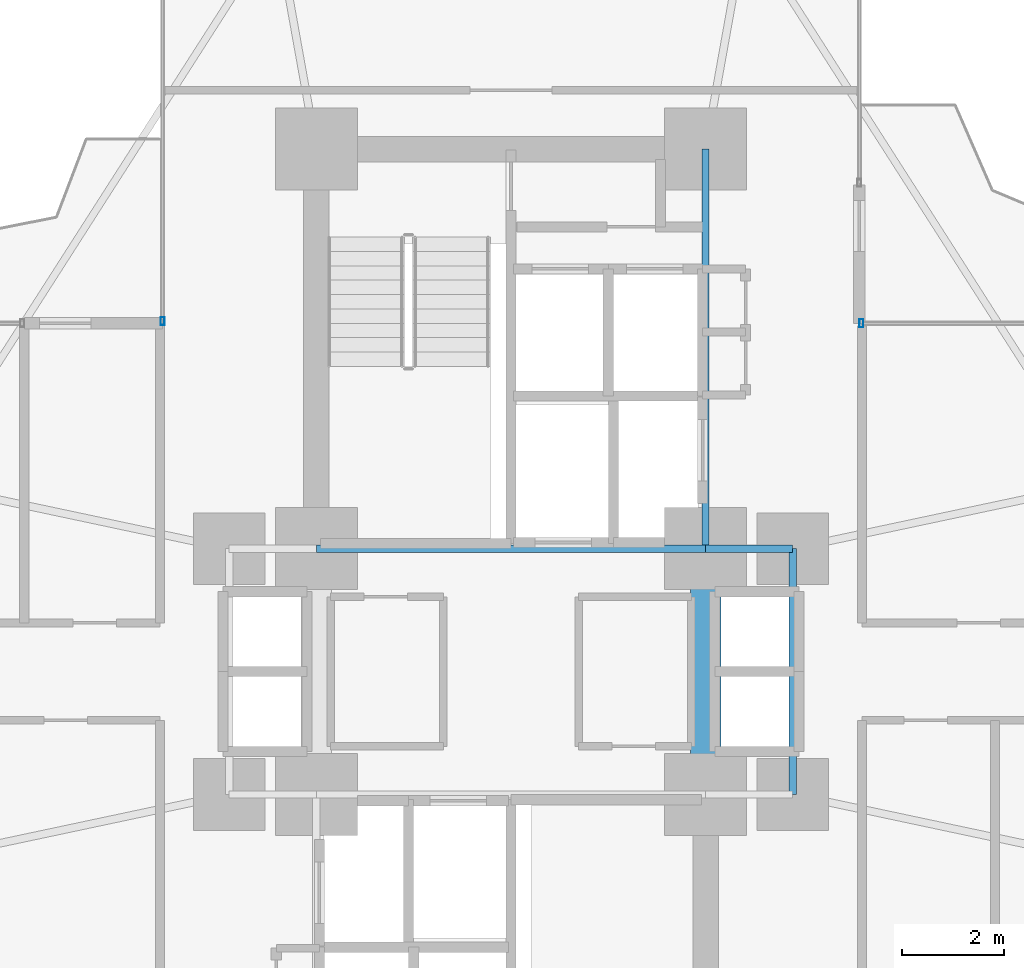
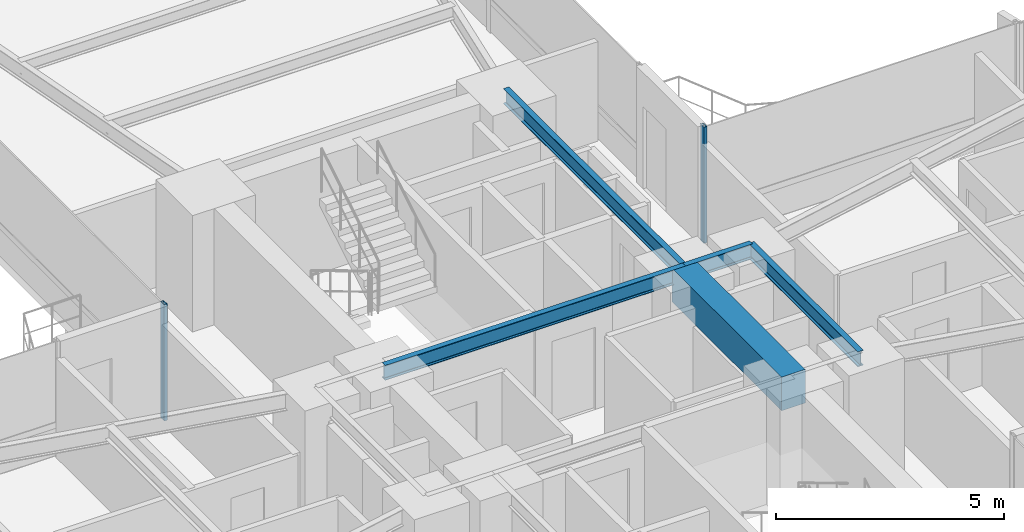
# One storey, part 12 of 25: 5 beams, 2 members, 2 elements without a shape of their own.
"""IFC4 building model written with IfcOpenShell, lengths in metres."""

import ifcopenshell
import ifcopenshell.guid

model = None  # the IFC model being written
_history = None  # IfcOwnerHistory: only IFC2X3 demands one
_inside = {}  # id of a spatial element -> (the spatial element, [elements in it])
_under = {}  # id of a project, library or spatial element -> (it, [spatial elements below it])
_declared = {}  # id of a project -> (the project, [libraries it declares])
_typed = {}  # id of a type object -> (the type object, [elements of that type])
_made_of = {}  # id of a material, layer set ... -> (it, [elements and type objects made of it])


def new_model(schema):
    """Start an empty IFC model of exactly this schema.

    Asked for "IFC4X3", IfcOpenShell would pick the latest addendum, in which some entities
    have other attributes; the version numbers below select the first issue.
    IFC2X3 requires an IfcOwnerHistory on every rooted entity: one is made here for all.
    """
    global model, _history
    if schema == "IFC4X3":
        model = ifcopenshell.file(schema_version=(4, 3, 0, 0))
    else:
        model = ifcopenshell.file(schema=schema)
    _inside.clear()
    _under.clear()
    _declared.clear()
    _typed.clear()
    _made_of.clear()
    _history = None
    if model.schema == "IFC2X3":
        org = make("IfcOrganization", Name="unknown")
        user = make(
            "IfcPersonAndOrganization",
            ThePerson=make("IfcPerson", FamilyName="unknown"),
            TheOrganization=org,
        )
        app = make(
            "IfcApplication",
            ApplicationDeveloper=org,
            Version="unknown",
            ApplicationFullName="unknown",
            ApplicationIdentifier="unknown",
        )
        _history = make(
            "IfcOwnerHistory",
            OwningUser=user,
            OwningApplication=app,
            ChangeAction="ADDED",
            CreationDate=0,
        )
    return model


def make(cls, **values):
    """One entity of the class cls with the attributes given. An attribute that is None is left unset."""
    return model.create_entity(
        cls, **{name: value for name, value in values.items() if value is not None}
    )


def rooted(cls, **values):
    """An entity with a GlobalId (a new one), such as an element, a storey or a relation."""
    return make(cls, GlobalId=ifcopenshell.guid.new(), OwnerHistory=_history, **values)


def si_unit(unit_type, name, prefix=None):
    """IfcSIUnit, for example si_unit("LENGTHUNIT", "METRE", prefix="MILLI")."""
    return make("IfcSIUnit", UnitType=unit_type, Prefix=prefix, Name=name)


def assignment(units):
    """IfcUnitAssignment: the units of a project."""
    return None if units is None else make("IfcUnitAssignment", Units=units)


def point(xyz):
    """IfcCartesianPoint."""
    return None if xyz is None else make("IfcCartesianPoint", Coordinates=xyz)


def direction(xyz):
    """IfcDirection."""
    return None if xyz is None else make("IfcDirection", DirectionRatios=xyz)


def frame(location, z_axis=None, x_axis=None):
    """IfcAxis2Placement3D, a coordinate frame: its origin and axes. An axis left out is left unset."""
    return make(
        "IfcAxis2Placement3D",
        Location=point(location),
        Axis=direction(z_axis),
        RefDirection=direction(x_axis),
    )


def frame_2d(location, x_axis=None):
    """IfcAxis2Placement2D, a coordinate frame in the plane: its origin and x axis."""
    return make(
        "IfcAxis2Placement2D", Location=point(location), RefDirection=direction(x_axis)
    )


def origin():
    """The frame at (0, 0, 0) with its axes left unset."""
    return frame((0.0, 0.0, 0.0))


def origin_2d():
    """The frame at (0, 0) in the plane with its x axis left unset."""
    return frame_2d((0.0, 0.0))


def place(relative_to, where):
    """IfcLocalPlacement: puts the frame where relative to a parent placement (None: the world)."""
    return make(
        "IfcLocalPlacement", PlacementRelTo=relative_to, RelativePlacement=where
    )


def context(
    kind, dimensions, precision=None, world=None, true_north=None, identifier=None
):
    """IfcGeometricRepresentationContext, for example the 3D "Model" context."""
    return make(
        "IfcGeometricRepresentationContext",
        ContextIdentifier=identifier,
        ContextType=kind,
        CoordinateSpaceDimension=dimensions,
        Precision=precision,
        WorldCoordinateSystem=world,
        TrueNorth=true_north,
    )


def subcontext(parent, identifier, kind, view, scale=None):
    """IfcGeometricRepresentationSubContext, for example "Body" below "Model"."""
    return make(
        "IfcGeometricRepresentationSubContext",
        ContextIdentifier=identifier,
        ContextType=kind,
        ParentContext=parent,
        TargetScale=scale,
        TargetView=view,
    )


def project(units=None, contexts=None):
    """IfcProject with its units and contexts."""
    return rooted(
        "IfcProject",
        Name="project",
        RepresentationContexts=contexts,
        UnitsInContext=assignment(units),
    )


def spatial(cls, under=None, at=None, **own):
    """A site, building, storey or space (cls), placed at a placement, below another one or the project."""
    s = rooted(cls, ObjectPlacement=at, **own)
    if under is not None:
        _under.setdefault(under.id(), (under, []))[1].append(s)
    return s


def profile(cls, at=None, kind="AREA", **sizes):
    """A parametric profile (cls). Its sizes go by their IFC names, for example OverallWidth=200.0."""
    return make(cls, ProfileType=kind, Position=at, **sizes)


def rectangle(**sizes):
    """IfcRectangleProfileDef."""
    return profile("IfcRectangleProfileDef", **sizes)


def hollow_rectangle(**sizes):
    """IfcRectangleHollowProfileDef."""
    return profile("IfcRectangleHollowProfileDef", **sizes)


def i_section(**sizes):
    """IfcIShapeProfileDef."""
    return profile("IfcIShapeProfileDef", **sizes)


def extrude(swept, where, along, depth):
    """IfcExtrudedAreaSolid: the profile swept, set in the frame where, extruded along a direction by depth."""
    return make(
        "IfcExtrudedAreaSolid",
        SweptArea=swept,
        Position=where,
        ExtrudedDirection=direction(along),
        Depth=depth,
    )


def shape(context_of_items, identifier, shape_type, items):
    """IfcShapeRepresentation: the items that make up one representation, for example the "Body"."""
    return make(
        "IfcShapeRepresentation",
        ContextOfItems=context_of_items,
        RepresentationIdentifier=identifier,
        RepresentationType=shape_type,
        Items=items,
    )


def source(mapping_origin, context_of_items, identifier, shape_type, items):
    """IfcRepresentationMap: a shape defined once, which mapped items show again and again."""
    return make(
        "IfcRepresentationMap",
        MappingOrigin=mapping_origin,
        MappedRepresentation=shape(context_of_items, identifier, shape_type, items),
    )


def transform(
    local_origin,
    x_axis=None,
    y_axis=None,
    z_axis=None,
    scale=None,
    scale2=None,
    scale3=None,
    uniform=True,
):
    """IfcCartesianTransformationOperator3D, or its non-uniform kind. x_axis, y_axis, z_axis: its Axis1, 2, 3."""
    if uniform:
        return make(
            "IfcCartesianTransformationOperator3D",
            Axis1=direction(x_axis),
            Axis2=direction(y_axis),
            LocalOrigin=point(local_origin),
            Scale=scale,
            Axis3=direction(z_axis),
        )
    return make(
        "IfcCartesianTransformationOperator3DnonUniform",
        Axis1=direction(x_axis),
        Axis2=direction(y_axis),
        LocalOrigin=point(local_origin),
        Scale=scale,
        Axis3=direction(z_axis),
        Scale2=scale2,
        Scale3=scale3,
    )


def mapped(mapping_source, mapping_target):
    """IfcMappedItem: shows the shape of a source again, moved by a transform."""
    return make(
        "IfcMappedItem", MappingSource=mapping_source, MappingTarget=mapping_target
    )


def material(Name=None, Category=None):
    """IfcMaterial."""
    return make("IfcMaterial", Name=Name, Category=Category)


def material_profile(
    of_material, cross_section, Name=None, Category=None, Priority=None
):
    """IfcMaterialProfile: a cross section and its material."""
    return make(
        "IfcMaterialProfile",
        Name=Name,
        Material=of_material,
        Profile=cross_section,
        Priority=Priority,
        Category=Category,
    )


def profile_set(profiles, Name=None, composite=None):
    """IfcMaterialProfileSet."""
    return make(
        "IfcMaterialProfileSet",
        Name=Name,
        MaterialProfiles=profiles,
        CompositeProfile=composite,
    )


def made_of(thing, what):
    """Note that an element or type object is made of a material, layer set ...; save() writes the relation."""
    if what is not None:
        _made_of.setdefault(what.id(), (what, []))[1].append(thing)
    return thing


def type_object(cls, material=None, **own):
    """A type object (cls), such as IfcWallType, which elements share."""
    return made_of(rooted(cls, **own), material)


def element(
    cls,
    number,
    at=None,
    inside=None,
    cuts=None,
    type_object=None,
    material=None,
    context=None,
    identifier="Body",
    shape_type=None,
    held_by="IfcProductDefinitionShape",
    body=None,
    shapes=None,
    **own,
):
    """One element of the class cls, such as IfcWall. Its Tag is "e" and its number.

    at: its placement. inside: the storey or other place that contains it. cuts: it is an
    opening in that element (IfcRelVoidsElement). A single representation is given by context,
    identifier, shape_type and body (its items); several are given by shapes. held_by: the class
    of the entity that holds the representations. save() writes the other relations.
    """
    e = rooted(cls, Tag="e%d" % number, ObjectPlacement=at, **own)
    if body is not None:
        shapes = [shape(context, identifier, shape_type, body)]
    if shapes is not None:
        e.Representation = make(held_by, Representations=shapes)
    if inside is not None:
        _inside.setdefault(inside.id(), (inside, []))[1].append(e)
    if cuts is not None:
        rooted(
            "IfcRelVoidsElement", RelatingBuildingElement=cuts, RelatedOpeningElement=e
        )
    if type_object is not None:
        _typed.setdefault(type_object.id(), (type_object, []))[1].append(e)
    return made_of(e, material)


def aggregate(whole, parts):
    """IfcRelAggregates: a whole, such as a stair, and the parts it consists of."""
    return rooted("IfcRelAggregates", RelatingObject=whole, RelatedObjects=parts)


def save(model, path):
    """Write the relations noted so far, then the file.

    IfcRelAggregates (storeys below a building ...), IfcRelContainedInSpatialStructure (elements
    in a storey), IfcRelDefinesByType, IfcRelAssociatesMaterial and IfcRelDeclares: one each for
    every whole, place, type object, material and project.
    """
    for whole, parts in _under.values():
        aggregate(whole, parts)
    for where, things in _inside.values():
        rooted(
            "IfcRelContainedInSpatialStructure",
            RelatedElements=things,
            RelatingStructure=where,
        )
    for kind, things in _typed.values():
        rooted("IfcRelDefinesByType", RelatedObjects=things, RelatingType=kind)
    for what, things in _made_of.values():
        rooted("IfcRelAssociatesMaterial", RelatedObjects=things, RelatingMaterial=what)
    for by, libraries in _declared.values():
        rooted("IfcRelDeclares", RelatingContext=by, RelatedDefinitions=libraries)
    model.write(path)


model = new_model("IFC4")

# Units and contexts
model_context = context("Model", 3, precision=1e-05, world=origin(), true_north=direction((0.0, 1.0)))
body_context = subcontext(model_context, "Body", "Model", "MODEL_VIEW")
ifc_project = project(units=[si_unit("LENGTHUNIT", "METRE"), si_unit("AREAUNIT", "SQUARE_METRE"), si_unit("VOLUMEUNIT", "CUBIC_METRE"), si_unit("PLANEANGLEUNIT", "RADIAN"), si_unit("MASSUNIT", "GRAM", prefix="KILO")], contexts=[model_context])

# Site, building, storey
site_placement = place(None, origin())
site = spatial("IfcSite", under=ifc_project, at=site_placement, CompositionType="ELEMENT")
building_placement = place(site_placement, origin())
building = spatial("IfcBuilding", under=site, at=building_placement, Name="Sahyath Konkavel Grand Hotel", CompositionType="ELEMENT")
storey_placement = place(building_placement, frame((0.0, 0.0, 33.14990234375)))
storey = spatial("IfcBuildingStorey", under=building, at=storey_placement, Name="L08", CompositionType="ELEMENT", Elevation=33.14990234375)

# Beams
ifc_material_1 = material(Name="Concrete C70/85", Category="concrete")
ifc_material_profile_1 = material_profile(ifc_material_1, rectangle(XDim=0.60009765625, YDim=0.89990234375, at=origin_2d()), Name="RC 600x900")
ifc_profile_set_1 = profile_set([ifc_material_profile_1], Name="Concrete C70/85")
beam_type_1 = type_object("IfcBeamType", Name="BM-CB600x900", PredefinedType="LINTEL", material=ifc_profile_set_1)
shared_shape_1 = source(origin(), body_context, "Body", "SweptSolid", [
    extrude(rectangle(XDim=0.60009765625, YDim=0.89990234375, at=origin_2d()), origin(), (0.0, 0.0, 1.0), 4.7998046875),
])
beam_1_placement = place(storey_placement, frame((3.800048828125, -2.39990234375, 2.66015625), z_axis=(0.0, 1.0, 0.0), x_axis=(-1.0, 0.0, 0.0)))
element("IfcBeam", 1, at=beam_1_placement, inside=storey, type_object=beam_type_1, Name="L08 Split-Core Coupling Beam East", PredefinedType="LINTEL", context=body_context, shape_type="MappedRepresentation", body=[
    mapped(shared_shape_1, transform((0.0, 0.0, 0.0), scale=1.0)),
])
ifc_material_2 = material(Name="Steel E350", Category="steel")
ifc_material_profile_2 = material_profile(ifc_material_2, i_section(OverallWidth=0.139892578125, OverallDepth=0.39990234375, WebThickness=0.0087890625, FlangeThickness=0.01611328125, FilletRadius=0.013916015625, at=origin_2d()), Name="ISMB 400")
ifc_profile_set_2 = profile_set([ifc_material_profile_2], Name="Steel E350")
beam_type_2 = type_object("IfcBeamType", Name="BM-ISMB400", PredefinedType="BEAM", material=ifc_profile_set_2)
shared_shape_2 = source(origin(), body_context, "Body", "SweptSolid", [
    extrude(i_section(OverallWidth=0.139892578125, OverallDepth=0.39990234375, WebThickness=0.0087890625, FlangeThickness=0.01611328125, FilletRadius=0.013916015625, at=origin_2d()), origin(), (0.0, 0.0, 1.0), 7.60009765625),
])
beam_2_placement = place(storey_placement, frame((-3.800048828125, 2.39990234375, 2.91015625), z_axis=(1.0, 0.0, 0.0), x_axis=(0.0, 1.0, 0.0)))
element("IfcBeam", 2, at=beam_2_placement, inside=storey, type_object=beam_type_2, Name="str:bm:L08:NC-S", PredefinedType="BEAM", context=body_context, shape_type="MappedRepresentation", body=[
    mapped(shared_shape_2, transform((0.0, 0.0, 0.0), scale=1.0)),
])
shared_shape_3 = source(origin(), body_context, "Body", "SweptSolid", [
    extrude(i_section(OverallWidth=0.139892578125, OverallDepth=0.39990234375, WebThickness=0.0087890625, FlangeThickness=0.01611328125, FilletRadius=0.013916015625, at=origin_2d()), origin(), (0.0, 0.0, 1.0), 7.800048828125),
])
beam_3_placement = place(storey_placement, frame((3.800048828125, 2.39990234375, 2.91015625), z_axis=(0.0, 1.0, 0.0), x_axis=(-1.0, 0.0, 0.0)))
element("IfcBeam", 3, at=beam_3_placement, inside=storey, type_object=beam_type_2, Name="str:bm:L08:NC-E", PredefinedType="BEAM", context=body_context, shape_type="MappedRepresentation", body=[
    mapped(shared_shape_3, transform((0.0, 0.0, 0.0), scale=1.0)),
])
shared_shape_4 = source(origin(), body_context, "Body", "SweptSolid", [
    extrude(i_section(OverallWidth=0.139892578125, OverallDepth=0.39990234375, WebThickness=0.0087890625, FlangeThickness=0.01611328125, FilletRadius=0.013916015625, at=origin_2d()), origin(), (0.0, 0.0, 1.0), 1.699951171875),
])
beam_4_placement = place(storey_placement, frame((3.800048828125, 2.39990234375, 2.91015625), z_axis=(1.0, 0.0, 0.0), x_axis=(0.0, 1.0, 0.0)))
element("IfcBeam", 4, at=beam_4_placement, inside=storey, type_object=beam_type_2, Name="str:bm:L08:HB-NE", PredefinedType="BEAM", context=body_context, shape_type="MappedRepresentation", body=[
    mapped(shared_shape_4, transform((0.0, 0.0, 0.0), scale=1.0)),
])
shared_shape_5 = source(origin(), body_context, "Body", "SweptSolid", [
    extrude(i_section(OverallWidth=0.139892578125, OverallDepth=0.39990234375, WebThickness=0.0087890625, FlangeThickness=0.01611328125, FilletRadius=0.013916015625, at=origin_2d()), origin(), (0.0, 0.0, 1.0), 4.7998046875),
])
beam_5_placement = place(storey_placement, frame((5.5, -2.39990234375, 2.91015625), z_axis=(0.0, 1.0, 0.0), x_axis=(-1.0, 0.0, 0.0)))
element("IfcBeam", 5, at=beam_5_placement, inside=storey, type_object=beam_type_2, Name="str:bm:L08:HB-E", PredefinedType="BEAM", context=body_context, shape_type="MappedRepresentation", body=[
    mapped(shared_shape_5, transform((0.0, 0.0, 0.0), scale=1.0)),
])

# Curtain wall, member
ifc_material_3 = material(Name="Anodised Bronze Aluminium & Low-E Glazing", Category="aluminium")
curtain_wall_type = type_object("IfcCurtainWallType", Name="CW-ZONE1", PredefinedType="NOTDEFINED", material=ifc_material_3)
curtain_wall_1_placement = place(storey_placement, origin())
curtain_wall_1 = element("IfcCurtainWall", 6, at=curtain_wall_1_placement, inside=storey, type_object=curtain_wall_type, Name="L08 Unitised Curtain Wall F7", PredefinedType="NOTDEFINED")
ifc_material_4 = material(Name="Anodised Bronze Aluminium", Category="aluminium")
ifc_material_profile_3 = material_profile(ifc_material_4, hollow_rectangle(XDim=0.080078125, YDim=0.159912109375, WallThickness=0.006103515625, at=origin_2d()), Name="RHS 160x80x6")
ifc_profile_set_3 = profile_set([ifc_material_profile_3], Name="Anodised Bronze Aluminium")
member_type = type_object("IfcMemberType", Name="CW-MUL-160", PredefinedType="MULLION", material=ifc_profile_set_3)
shared_shape_6 = source(origin(), body_context, "Body", "SweptSolid", [
    extrude(hollow_rectangle(XDim=0.080078125, YDim=0.159912109375, WallThickness=0.006103515625, at=origin_2d()), origin(), (0.0, 0.0, 1.0), 3.110107421875),
])
member_1_placement = place(storey_placement, frame((6.840087890625, 6.800048828125, 0.0), z_axis=(0.0, 0.0, 1.0), x_axis=(1.0, 0.0, 0.0)))
member_1 = element("IfcMember", 7, at=member_1_placement, type_object=member_type, Name="L08 Curtain Wall Mullion F7-2", PredefinedType="MULLION", context=body_context, shape_type="MappedRepresentation", body=[
    mapped(shared_shape_6, transform((0.0, 0.0, 0.0), scale=1.0)),
])
aggregate(curtain_wall_1, [member_1])

curtain_wall_2_placement = place(storey_placement, origin())
curtain_wall_2 = element("IfcCurtainWall", 8, at=curtain_wall_2_placement, inside=storey, type_object=curtain_wall_type, Name="L08 Unitised Curtain Wall F15", PredefinedType="NOTDEFINED")
member_2_placement = place(storey_placement, frame((-6.800048828125, 6.840087890625, 0.0), z_axis=(0.0, 0.0, 1.0), x_axis=(1.0, 0.0, 0.0)))
member_2 = element("IfcMember", 9, at=member_2_placement, type_object=member_type, Name="L08 Curtain Wall Mullion F15-2", PredefinedType="MULLION", context=body_context, shape_type="MappedRepresentation", body=[
    mapped(shared_shape_6, transform((0.0, 0.0, 0.0), scale=1.0)),
])
aggregate(curtain_wall_2, [member_2])

save(model, "model.ifc")
